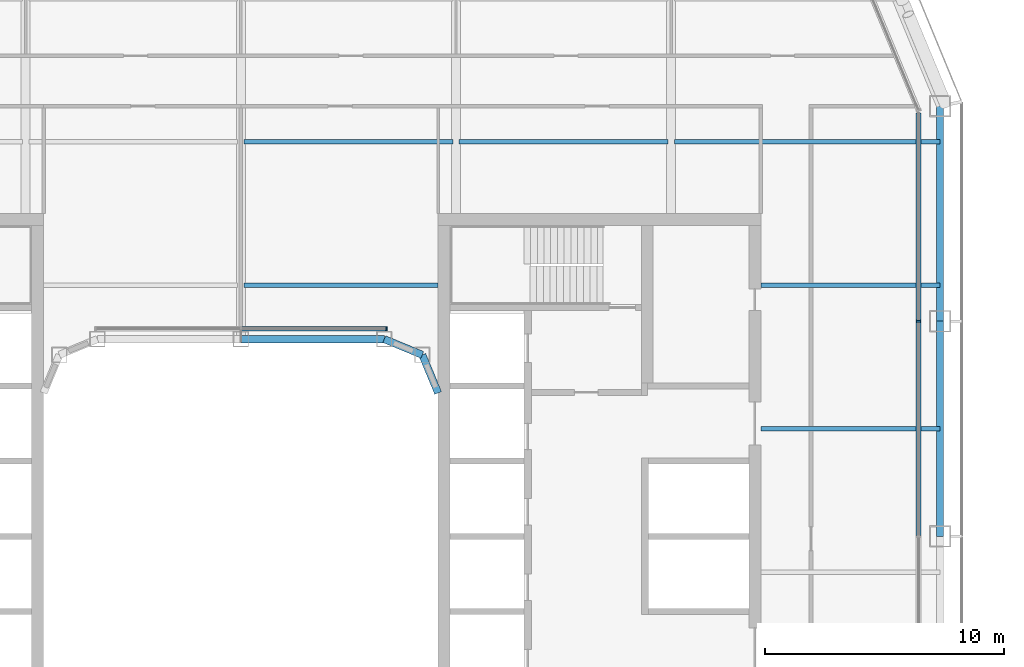
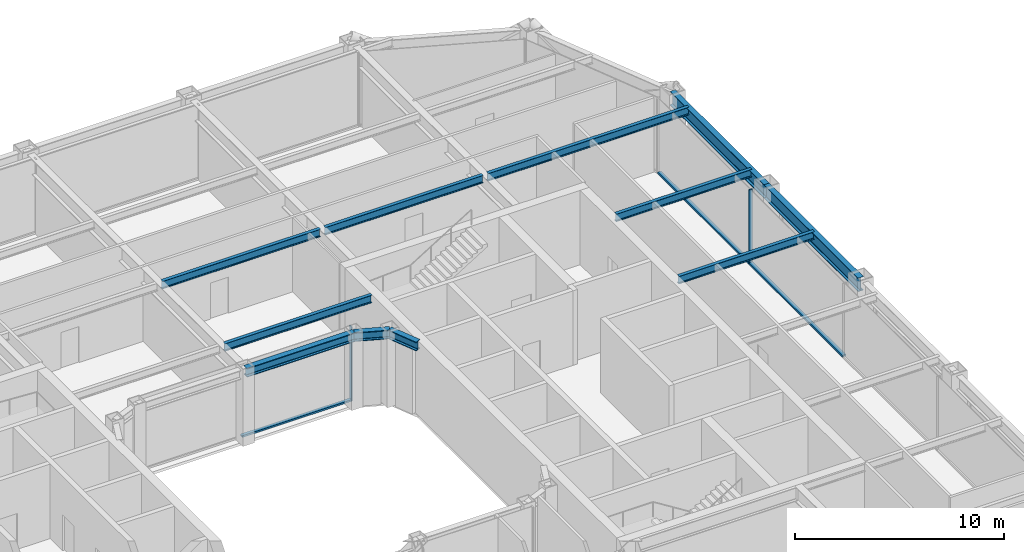
# One storey, part 8 of 23: 11 beams, 5 members, 2 elements without a shape of their own.
"""IFC4 building model written with IfcOpenShell, lengths in metres."""

from ifc_helpers import new_model, si_unit, direction, frame, origin, origin_2d, place, context, subcontext, project, spatial, rectangle, i_section, extrude, material, layer, layer_set, material_profile, profile_set, type_object, element, aggregate, save


model = new_model("IFC4")

# Units and contexts
model_context = context("Model", 3, precision=1e-05, world=origin(), true_north=direction((0.0, 1.0)))
body_context = subcontext(model_context, "Body", "Model", "MODEL_VIEW")
ifc_project = project(units=[si_unit("LENGTHUNIT", "METRE"), si_unit("AREAUNIT", "SQUARE_METRE"), si_unit("VOLUMEUNIT", "CUBIC_METRE"), si_unit("PLANEANGLEUNIT", "RADIAN"), si_unit("MASSUNIT", "GRAM", prefix="KILO")], contexts=[model_context])

# Site, building, storey
site_placement = place(None, origin())
site = spatial("IfcSite", under=ifc_project, at=site_placement, CompositionType="ELEMENT")
building_placement = place(site_placement, origin())
building = spatial("IfcBuilding", under=site, at=building_placement, Name="Siwar Civic Tower", CompositionType="ELEMENT")
storey_placement = place(building_placement, frame((0.0, 0.0, 163.199951171875)))
storey = spatial("IfcBuildingStorey", under=building, at=storey_placement, Name="L35", CompositionType="ELEMENT", Elevation=163.199951171875)

# Curtain wall, member
ifc_material_1 = material(Name="Aluminium and glass", Category="aluminium")
ifc_layer_1 = layer(ifc_material_1, 0.199951171875)
ifc_layer_set_1 = layer_set([ifc_layer_1], Name="Aluminium and glass")
curtain_wall_type_1 = type_object("IfcCurtainWallType", Name="ENV-CW-B", PredefinedType="NOTDEFINED", material=ifc_layer_set_1)
curtain_wall_1_placement = place(storey_placement, origin())
curtain_wall_1 = element("IfcCurtainWall", 1, at=curtain_wall_1_placement, inside=storey, type_object=curtain_wall_type_1, Name="Curtain wall B E", PredefinedType="NOTDEFINED")
ifc_material_2 = material(Name="Aluminium 6063-T6", Category="aluminium")
ifc_material_profile_1 = material_profile(ifc_material_2, rectangle(XDim=0.199951171875, YDim=0.06494140625, at=origin_2d()), Name="AL 200x65")
ifc_profile_set_1 = profile_set([ifc_material_profile_1], Name="Aluminium 6063-T6")
member_type_1 = type_object("IfcMemberType", Name="ENV-MULLION-B", PredefinedType="MULLION", material=ifc_profile_set_1)
member_1_placement = place(storey_placement, frame((28.35009765625, 9.0, 0.0), z_axis=(0.0, 0.0, 1.0), x_axis=(-1.0, 0.0, 0.0)))
member_1 = element("IfcMember", 2, at=member_1_placement, type_object=member_type_1, Name="Mullion B E 4", PredefinedType="MULLION", context=body_context, shape_type="SweptSolid", body=[
    extrude(rectangle(XDim=0.199951171875, YDim=0.06494140625, at=origin_2d()), origin(), (0.0, 0.0, 1.0), 4.35009765625),
])

ifc_material_3 = material(Name="Aluminium and glass", Category="aluminium")
ifc_layer_2 = layer(ifc_material_3, 0.179931640625)
ifc_layer_set_2 = layer_set([ifc_layer_2], Name="Aluminium and glass")
curtain_wall_type_2 = type_object("IfcCurtainWallType", Name="ENV-CW-W", PredefinedType="NOTDEFINED", material=ifc_layer_set_2)
curtain_wall_2_placement = place(storey_placement, origin())
curtain_wall_2 = element("IfcCurtainWall", 3, at=curtain_wall_2_placement, inside=storey, type_object=curtain_wall_type_2, Name="Curtain wall W WN", PredefinedType="NOTDEFINED")
ifc_material_4 = material(Name="Aluminium 6063-T6", Category="aluminium")
ifc_material_profile_2 = material_profile(ifc_material_4, rectangle(XDim=0.179931640625, YDim=0.06005859375, at=origin_2d()), Name="AL 180x60")
ifc_profile_set_2 = profile_set([ifc_material_profile_2], Name="Aluminium 6063-T6")
member_type_2 = type_object("IfcMemberType", Name="ENV-MULLION-W", PredefinedType="MULLION", material=ifc_profile_set_2)
member_2_placement = place(storey_placement, frame((6.08642578125, 8.68505859375, 0.0), z_axis=(0.0, 0.0, 1.0), x_axis=(0.0, -1.0, 0.0)))
member_2 = element("IfcMember", 4, at=member_2_placement, type_object=member_type_2, Name="Mullion W WN 1", PredefinedType="MULLION", context=body_context, shape_type="SweptSolid", body=[
    extrude(rectangle(XDim=0.179931640625, YDim=0.06005859375, at=origin_2d()), origin(), (0.0, 0.0, 1.0), 4.35009765625),
])

# Member
ifc_material_5 = material(Name="Aluminium 6063-T6", Category="aluminium")
ifc_material_profile_3 = material_profile(ifc_material_5, rectangle(XDim=0.199951171875, YDim=0.110107421875, at=origin_2d()), Name="AL 200x110")
ifc_profile_set_3 = profile_set([ifc_material_profile_3], Name="Aluminium 6063-T6")
member_type_3 = type_object("IfcMemberType", Name="ENV-TRANSOM-B", PredefinedType="USERDEFINED", material=ifc_profile_set_3)
member_3_placement = place(storey_placement, frame((28.35009765625, 0.032470703125, 0.054931640625), z_axis=(0.0, 1.0, 0.0), x_axis=(-1.0, 0.0, 0.0)))
member_3 = element("IfcMember", 5, at=member_3_placement, type_object=member_type_3, Name="Transom B E 3", ObjectType="TRANSOM", PredefinedType="USERDEFINED", context=body_context, shape_type="SweptSolid", body=[
    extrude(rectangle(XDim=0.199951171875, YDim=0.110107421875, at=origin_2d()), origin(), (0.0, 0.0, 1.0), 8.93505859375),
])

member_4_placement = place(storey_placement, frame((28.35009765625, 9.032470703125, 0.054931640625), z_axis=(0.0, 1.0, 0.0), x_axis=(-1.0, 0.0, 0.0)))
member_4 = element("IfcMember", 6, at=member_4_placement, type_object=member_type_3, Name="Transom B E 4", ObjectType="TRANSOM", PredefinedType="USERDEFINED", context=body_context, shape_type="SweptSolid", body=[
    extrude(rectangle(XDim=0.199951171875, YDim=0.110107421875, at=origin_2d()), origin(), (0.0, 0.0, 1.0), 8.6748046875),
])

aggregate(curtain_wall_1, [member_1, member_3, member_4])

ifc_material_6 = material(Name="Aluminium 6063-T6", Category="aluminium")
ifc_material_profile_4 = material_profile(ifc_material_6, rectangle(XDim=0.179931640625, YDim=0.10009765625, at=origin_2d()), Name="AL 180x100")
ifc_profile_set_4 = profile_set([ifc_material_profile_4], Name="Aluminium 6063-T6")
member_type_4 = type_object("IfcMemberType", Name="ENV-TRANSOM-W", PredefinedType="USERDEFINED", material=ifc_profile_set_4)
member_5_placement = place(storey_placement, frame((6.056640625, 8.68505859375, 0.050048828125), z_axis=(-1.0, 0.0, 0.0), x_axis=(0.0, -1.0, 0.0)))
member_5 = element("IfcMember", 7, at=member_5_placement, type_object=member_type_4, Name="Transom W WN 1", ObjectType="TRANSOM", PredefinedType="USERDEFINED", context=body_context, shape_type="SweptSolid", body=[
    extrude(rectangle(XDim=0.179931640625, YDim=0.10009765625, at=origin_2d()), origin(), (0.0, 0.0, 1.0), 6.026611328125),
])

aggregate(curtain_wall_2, [member_2, member_5])

# Beams
ifc_material_7 = material(Name="Steel S355", Category="steel")
ifc_material_profile_5 = material_profile(ifc_material_7, i_section(OverallWidth=0.18994140625, OverallDepth=0.449951171875, WebThickness=0.009521484375, FlangeThickness=0.0146484375, FilletRadius=0.02099609375, at=origin_2d()), Name="IPE450")
ifc_profile_set_5 = profile_set([ifc_material_profile_5], Name="Steel S355")
beam_type_1 = type_object("IfcBeamType", Name="STR-FB-IPE450", PredefinedType="JOIST", material=ifc_profile_set_5)
beam_1_placement = place(storey_placement, frame((21.75, 4.5, 4.125), z_axis=(1.0, 0.0, 0.0), x_axis=(0.0, 1.0, 0.0)))
element("IfcBeam", 8, at=beam_1_placement, inside=storey, type_object=beam_type_1, Name="L35/bm/F026", PredefinedType="JOIST", context=body_context, shape_type="SweptSolid", body=[
    extrude(i_section(OverallWidth=0.18994140625, OverallDepth=0.449951171875, WebThickness=0.009521484375, FlangeThickness=0.0146484375, FilletRadius=0.02099609375, at=origin_2d()), origin(), (0.0, 0.0, 1.0), 7.5),
])
beam_2_placement = place(storey_placement, frame((0.1298828125, 10.5, 4.125), z_axis=(1.0, 0.0, 0.0), x_axis=(0.0, 1.0, 0.0)))
element("IfcBeam", 9, at=beam_2_placement, inside=storey, type_object=beam_type_1, Name="L35/bm/F029", PredefinedType="JOIST", context=body_context, shape_type="SweptSolid", body=[
    extrude(i_section(OverallWidth=0.18994140625, OverallDepth=0.449951171875, WebThickness=0.009521484375, FlangeThickness=0.0146484375, FilletRadius=0.02099609375, at=origin_2d()), origin(), (0.0, 0.0, 1.0), 8.1201171875),
])
beam_3_placement = place(storey_placement, frame((21.75, 10.5, 4.125), z_axis=(1.0, 0.0, 0.0), x_axis=(0.0, 1.0, 0.0)))
element("IfcBeam", 10, at=beam_3_placement, inside=storey, type_object=beam_type_1, Name="L35/bm/F030", PredefinedType="JOIST", context=body_context, shape_type="SweptSolid", body=[
    extrude(i_section(OverallWidth=0.18994140625, OverallDepth=0.449951171875, WebThickness=0.009521484375, FlangeThickness=0.0146484375, FilletRadius=0.02099609375, at=origin_2d()), origin(), (0.0, 0.0, 1.0), 7.5),
])
for number, where, z_axis, x_axis, name in (
    (11, (0.1298828125, 16.5, 4.125), (1.0, 0.0, 0.0), (0.0, 1.0, 0.0), "L35/bm/F034"),
    (12, (9.1298828125, 16.5, 4.125), (1.0, 0.0, 0.0), (0.0, 1.0, 0.0), "L35/bm/F035"),
):
    element("IfcBeam", number, at=place(storey_placement, frame(where, z_axis=z_axis, x_axis=x_axis)), inside=storey, type_object=beam_type_1, Name=name, PredefinedType="JOIST", context=body_context, shape_type="SweptSolid", body=[
        extrude(i_section(OverallWidth=0.18994140625, OverallDepth=0.449951171875, WebThickness=0.009521484375, FlangeThickness=0.0146484375, FilletRadius=0.02099609375, at=origin_2d()), origin(), (0.0, 0.0, 1.0), 8.740234375),
    ])
beam_4_placement = place(storey_placement, frame((18.1298828125, 16.5, 4.125), z_axis=(1.0, 0.0, 0.0), x_axis=(0.0, 1.0, 0.0)))
element("IfcBeam", 13, at=beam_4_placement, inside=storey, type_object=beam_type_1, Name="L35/bm/F036", PredefinedType="JOIST", context=body_context, shape_type="SweptSolid", body=[
    extrude(i_section(OverallWidth=0.18994140625, OverallDepth=0.449951171875, WebThickness=0.009521484375, FlangeThickness=0.0146484375, FilletRadius=0.02099609375, at=origin_2d()), origin(), (0.0, 0.0, 1.0), 11.1201171875),
])
ifc_material_8 = material(Name="Steel S355", Category="steel")
ifc_material_profile_6 = material_profile(ifc_material_8, i_section(OverallWidth=0.305908203125, OverallDepth=0.52392578125, WebThickness=0.02099609375, FlangeThickness=0.0400390625, FilletRadius=0.027099609375, at=origin_2d()), Name="HEM500")
ifc_profile_set_6 = profile_set([ifc_material_profile_6], Name="Steel S355")
beam_type_2 = type_object("IfcBeamType", Name="STR-RB-HEM500", PredefinedType="BEAM", material=ifc_profile_set_6)
beam_5_placement = place(storey_placement, frame((0.0, 8.25, 4.088134765625), z_axis=(1.0, 0.0, 0.0), x_axis=(0.0, 1.0, 0.0)))
element("IfcBeam", 14, at=beam_5_placement, inside=storey, type_object=beam_type_2, Name="L35/bm/RN2", PredefinedType="BEAM", context=body_context, shape_type="SweptSolid", body=[
    extrude(i_section(OverallWidth=0.305908203125, OverallDepth=0.52392578125, WebThickness=0.02099609375, FlangeThickness=0.0400390625, FilletRadius=0.027099609375, at=origin_2d()), origin(), (0.0, 0.0, 1.0), 6.0),
])
for number, where, z_axis, x_axis, name in (
    (15, (6.0, 8.25, 4.088134765625), (0.923901072997, -0.382631424892, 0.0), (0.382631424892, 0.923901072997, 0.0), "L35/bm/RN3"),
    (16, (7.591064453125, 7.591064453125, 4.088134765625), (0.382631424892, -0.923901072997, 0.0), (0.923901072997, 0.382631424892, 0.0), "L35/bm/RNEE"),
):
    element("IfcBeam", number, at=place(storey_placement, frame(where, z_axis=z_axis, x_axis=x_axis)), inside=storey, type_object=beam_type_2, Name=name, PredefinedType="BEAM", context=body_context, shape_type="SweptSolid", body=[
        extrude(i_section(OverallWidth=0.305908203125, OverallDepth=0.52392578125, WebThickness=0.02099609375, FlangeThickness=0.0400390625, FilletRadius=0.027099609375, at=origin_2d()), origin(), (0.0, 0.0, 1.0), 1.72216796875),
    ])
ifc_material_9 = material(Name="Steel S355", Category="steel")
ifc_material_profile_7 = material_profile(ifc_material_9, i_section(OverallWidth=0.300048828125, OverallDepth=0.800048828125, WebThickness=0.017578125, FlangeThickness=0.032958984375, FilletRadius=0.030029296875, at=origin_2d()), Name="HEB800")
ifc_profile_set_7 = profile_set([ifc_material_profile_7], Name="Steel S355")
beam_type_3 = type_object("IfcBeamType", Name="STR-SB-HEB800", PredefinedType="BEAM", material=ifc_profile_set_7)
for number, where, z_axis, x_axis, name in (
    (17, (29.25, 0.0, 3.949951171875), (0.0, 1.0, 0.0), (-1.0, 0.0, 0.0), "L35/bm/SE-2"),
    (18, (29.25, 9.0, 3.949951171875), (0.0, 1.0, 0.0), (-1.0, 0.0, 0.0), "L35/bm/SE-3"),
):
    element("IfcBeam", number, at=place(storey_placement, frame(where, z_axis=z_axis, x_axis=x_axis)), inside=storey, type_object=beam_type_3, Name=name, PredefinedType="BEAM", context=body_context, shape_type="SweptSolid", body=[
        extrude(i_section(OverallWidth=0.300048828125, OverallDepth=0.800048828125, WebThickness=0.017578125, FlangeThickness=0.032958984375, FilletRadius=0.030029296875, at=origin_2d()), origin(), (0.0, 0.0, 1.0), 9.0),
    ])

save(model, "model.ifc")
